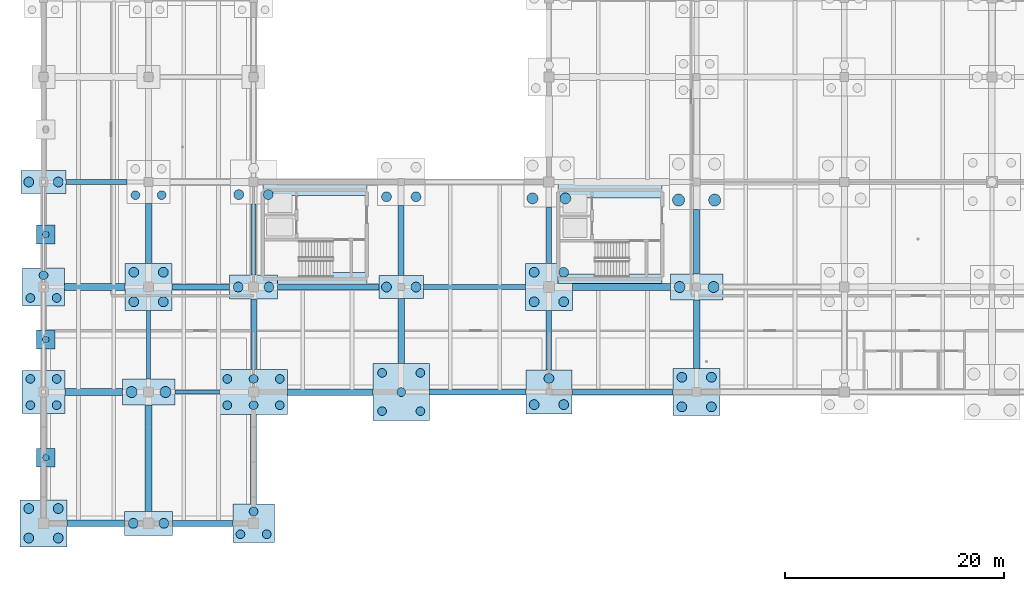
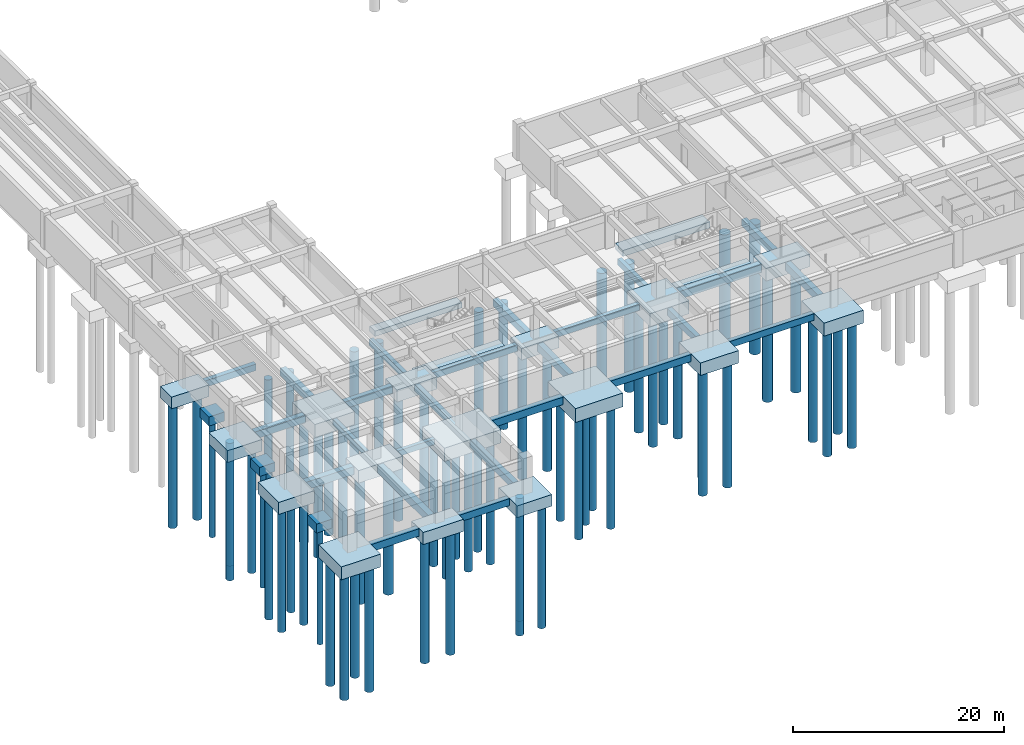
# One storey, part 1 of 41: 65 piles, 48 footings.
"""IFC4 building model written with IfcOpenShell, lengths in metres."""

from ifc_helpers import new_model, si_unit, direction, frame, origin, origin_2d, place, context, subcontext, project, spatial, rectangle, circle, extrude, material, material_profile, profile_set, type_object, element, save


model = new_model("IFC4")

# Units and contexts
model_context = context("Model", 3, precision=1e-05, world=origin(), true_north=direction((0.0, 1.0)))
body_context = subcontext(model_context, "Body", "Model", "MODEL_VIEW")
ifc_project = project(units=[si_unit("LENGTHUNIT", "METRE"), si_unit("AREAUNIT", "SQUARE_METRE"), si_unit("VOLUMEUNIT", "CUBIC_METRE"), si_unit("PLANEANGLEUNIT", "RADIAN"), si_unit("MASSUNIT", "GRAM", prefix="KILO")], contexts=[model_context])

# Site, building, storey
site_placement = place(None, origin())
site = spatial("IfcSite", under=ifc_project, at=site_placement, CompositionType="ELEMENT")
building_placement = place(site_placement, origin())
building = spatial("IfcBuilding", under=site, at=building_placement, Name="Fikremerkos Civic Library", CompositionType="ELEMENT")
storey_placement = place(building_placement, frame((0.0, 0.0, -8.39990234375)))
storey = spatial("IfcBuildingStorey", under=building, at=storey_placement, Name="B02", CompositionType="ELEMENT", Elevation=-8.39990234375)

# Piles
ifc_material_1 = material(Name="Concrete C35/45", Category="concrete")
ifc_material_profile_1 = material_profile(ifc_material_1, circle(Radius=0.5, at=origin_2d()), Name="BORED PILE 1000")
ifc_profile_set_1 = profile_set([ifc_material_profile_1], Name="Concrete C35/45")
pile_type_1 = type_object("IfcPileType", Name="Bored concrete pile PL-1000 D1000", PredefinedType="BORED", material=ifc_profile_set_1)
for number, where, z_axis, x_axis, name in (
    (1, (8.050048828125, 12.0, -1.35009765625), (0.0, 0.0, -1.0), (1.0, 0.0, 0.0), "Bored pile PL-1000 under CAP-2-E #1"),
    (2, (11.14990234375, 12.0, -1.35009765625), (0.0, 0.0, -1.0), (1.0, 0.0, 0.0), "Bored pile PL-1000 under CAP-2-E #2"),
    (3, (44.699951171875, 29.699951171875, -1.4501953125), (0.0, 0.0, -1.0), (1.0, 0.0, 0.0), "Bored pile PL-1000 under CAP-5-G #1"),
    (4, (47.699951171875, 29.699951171875, -1.4501953125), (0.0, 0.0, -1.0), (1.0, 0.0, 0.0), "Bored pile PL-1000 under CAP-5-G #2"),
    (5, (58.14990234375, 21.60009765625, -1.35009765625), (0.0, 0.0, -1.0), (1.0, 0.0, 0.0), "Bored pile PL-1000 under CAP-6-F #1"),
    (6, (61.25, 21.60009765625, -1.35009765625), (0.0, 0.0, -1.0), (1.0, 0.0, 0.0), "Bored pile PL-1000 under CAP-6-F #2"),
):
    element("IfcPile", number, at=place(storey_placement, frame(where, z_axis=z_axis, x_axis=x_axis)), inside=storey, type_object=pile_type_1, Name=name, PredefinedType="BORED", context=body_context, shape_type="SweptSolid", body=[
        extrude(circle(Radius=0.5, at=origin_2d()), origin(), (0.0, 0.0, 1.0), 14.800048828125),
    ])
ifc_material_profile_2 = material_profile(ifc_material_1, circle(Radius=0.550048828125, at=origin_2d()), Name="BORED PILE 1100")
ifc_profile_set_2 = profile_set([ifc_material_profile_2], Name="Concrete C35/45")
pile_type_2 = type_object("IfcPileType", Name="Bored concrete pile PL-1100 D1100", PredefinedType="BORED", material=ifc_profile_set_2)
for number, where, z_axis, x_axis, name in (
    (7, (58.050048828125, 29.550048828125, -1.550048828125), (0.0, 0.0, -1.0), (1.0, 0.0, 0.0), "Bored pile PL-1100 under CAP-6-G #1"),
    (8, (61.35009765625, 29.550048828125, -1.550048828125), (0.0, 0.0, -1.0), (1.0, 0.0, 0.0), "Bored pile PL-1100 under CAP-6-G #2"),
):
    element("IfcPile", number, at=place(storey_placement, frame(where, z_axis=z_axis, x_axis=x_axis)), inside=storey, type_object=pile_type_2, Name=name, PredefinedType="BORED", context=body_context, shape_type="SweptSolid", body=[
        extrude(circle(Radius=0.550048828125, at=origin_2d()), origin(), (0.0, 0.0, 1.0), 15.0),
    ])
ifc_material_profile_3 = material_profile(ifc_material_1, circle(Radius=0.300048828125, at=origin_2d()), Name="BORED PILE 600")
ifc_profile_set_3 = profile_set([ifc_material_profile_3], Name="Concrete C35/45")
pile_type_3 = type_object("IfcPileType", Name="Bored concrete pile PL-600 D600", PredefinedType="BORED", material=ifc_profile_set_3)
for number, where, z_axis, x_axis, name in (
    (9, (0.219970703125, 6.0, -0.9501953125), (0.0, 0.0, -1.0), (1.0, 0.0, 0.0), "Bored pile PL-600 under CAP-PIL-W1"),
    (10, (0.219970703125, 16.800048828125, -0.9501953125), (0.0, 0.0, -1.0), (1.0, 0.0, 0.0), "Bored pile PL-600 under CAP-PIL-W2"),
    (11, (0.219970703125, 26.39990234375, -0.9501953125), (0.0, 0.0, -1.0), (1.0, 0.0, 0.0), "Bored pile PL-600 under CAP-PIL-W3"),
):
    element("IfcPile", number, at=place(storey_placement, frame(where, z_axis=z_axis, x_axis=x_axis)), inside=storey, type_object=pile_type_3, Name=name, PredefinedType="BORED", context=body_context, shape_type="SweptSolid", body=[
        extrude(circle(Radius=0.300048828125, at=origin_2d()), origin(), (0.0, 0.0, 1.0), 13.60009765625),
    ])
ifc_material_profile_4 = material_profile(ifc_material_1, circle(Radius=0.39990234375, at=origin_2d()), Name="BORED PILE 800")
ifc_profile_set_4 = profile_set([ifc_material_profile_4], Name="Concrete C35/45")
pile_type_4 = type_object("IfcPileType", Name="Bored concrete pile PL-800 D800", PredefinedType="BORED", material=ifc_profile_set_4)
for number, where, z_axis, x_axis, name in (
    (12, (-1.199951171875, 10.800048828125, -1.300048828125), (0.0, 0.0, -1.0), (1.0, 0.0, 0.0), "Bored pile PL-800 under CAP-1-E #1"),
    (13, (1.199951171875, 10.800048828125, -1.300048828125), (0.0, 0.0, -1.0), (1.0, 0.0, 0.0), "Bored pile PL-800 under CAP-1-E #2"),
    (14, (-1.199951171875, 13.199951171875, -1.300048828125), (0.0, 0.0, -1.0), (1.0, 0.0, 0.0), "Bored pile PL-800 under CAP-1-E #3"),
    (15, (1.199951171875, 13.199951171875, -1.300048828125), (0.0, 0.0, -1.0), (1.0, 0.0, 0.0), "Bored pile PL-800 under CAP-1-E #4"),
    (16, (-1.199951171875, 20.60009765625, -1.25), (0.0, 0.0, -1.0), (1.0, 0.0, 0.0), "Bored pile PL-800 under CAP-1-F #1"),
    (17, (1.199951171875, 20.60009765625, -1.25), (0.0, 0.0, -1.0), (1.0, 0.0, 0.0), "Bored pile PL-800 under CAP-1-F #2"),
    (18, (0.0, 22.679931640625, -1.25), (0.0, 0.0, -1.0), (1.0, 0.0, 0.0), "Bored pile PL-800 under CAP-1-F #3"),
    (19, (8.39990234375, 30.0, -1.300048828125), (0.0, 0.0, -1.0), (1.0, 0.0, 0.0), "Bored pile PL-800 under CAP-2-G #1"),
    (20, (10.800048828125, 30.0, -1.300048828125), (0.0, 0.0, -1.0), (1.0, 0.0, 0.0), "Bored pile PL-800 under CAP-2-G #2"),
    (21, (18.0, -1.0, -1.25), (0.0, 0.0, -1.0), (1.0, 0.0, 0.0), "Bored pile PL-800 under CAP-3-A #1"),
    (22, (20.39990234375, -1.0, -1.25), (0.0, 0.0, -1.0), (1.0, 0.0, 0.0), "Bored pile PL-800 under CAP-3-A #2"),
    (23, (19.199951171875, 1.080078125, -1.25), (0.0, 0.0, -1.0), (1.0, 0.0, 0.0), "Bored pile PL-800 under CAP-3-A #3"),
    (24, (16.800048828125, 10.800048828125, -1.4501953125), (0.0, 0.0, -1.0), (1.0, 0.0, 0.0), "Bored pile PL-800 under CAP-3-E #1"),
    (25, (19.199951171875, 10.800048828125, -1.4501953125), (0.0, 0.0, -1.0), (1.0, 0.0, 0.0), "Bored pile PL-800 under CAP-3-E #2"),
    (26, (21.60009765625, 10.800048828125, -1.4501953125), (0.0, 0.0, -1.0), (1.0, 0.0, 0.0), "Bored pile PL-800 under CAP-3-E #3"),
    (27, (16.800048828125, 13.199951171875, -1.4501953125), (0.0, 0.0, -1.0), (1.0, 0.0, 0.0), "Bored pile PL-800 under CAP-3-E #4"),
    (28, (19.199951171875, 13.199951171875, -1.4501953125), (0.0, 0.0, -1.0), (1.0, 0.0, 0.0), "Bored pile PL-800 under CAP-3-E #5"),
    (29, (21.60009765625, 13.199951171875, -1.4501953125), (0.0, 0.0, -1.0), (1.0, 0.0, 0.0), "Bored pile PL-800 under CAP-3-E #6"),
    (30, (30.949951171875, 10.25, -1.5), (0.0, 0.0, -1.0), (1.0, 0.0, 0.0), "Bored pile PL-800 under CAP-4-E #1"),
    (31, (34.449951171875, 10.25, -1.5), (0.0, 0.0, -1.0), (1.0, 0.0, 0.0), "Bored pile PL-800 under CAP-4-E #2"),
    (32, (30.949951171875, 13.75, -1.5), (0.0, 0.0, -1.0), (1.0, 0.0, 0.0), "Bored pile PL-800 under CAP-4-E #3"),
    (33, (34.449951171875, 13.75, -1.5), (0.0, 0.0, -1.0), (1.0, 0.0, 0.0), "Bored pile PL-800 under CAP-4-E #4"),
    (34, (32.699951171875, 12.0, -1.5), (0.0, 0.0, -1.0), (1.0, 0.0, 0.0), "Bored pile PL-800 under CAP-4-E #5"),
):
    element("IfcPile", number, at=place(storey_placement, frame(where, z_axis=z_axis, x_axis=x_axis)), inside=storey, type_object=pile_type_4, Name=name, PredefinedType="BORED", context=body_context, shape_type="SweptSolid", body=[
        extrude(circle(Radius=0.39990234375, at=origin_2d()), origin(), (0.0, 0.0, 1.0), 14.199951171875),
    ])
ifc_material_profile_5 = material_profile(ifc_material_1, circle(Radius=0.449951171875, at=origin_2d()), Name="BORED PILE 900")
ifc_profile_set_5 = profile_set([ifc_material_profile_5], Name="Concrete C35/45")
pile_type_5 = type_object("IfcPileType", Name="Bored concrete pile PL-900 D900", PredefinedType="BORED", material=ifc_profile_set_5)
for number, where, z_axis, x_axis, name in (
    (35, (-1.35009765625, -1.35009765625, -1.400146484375), (0.0, 0.0, -1.0), (1.0, 0.0, 0.0), "Bored pile PL-900 under CAP-1-A #1"),
    (36, (1.35009765625, -1.35009765625, -1.400146484375), (0.0, 0.0, -1.0), (1.0, 0.0, 0.0), "Bored pile PL-900 under CAP-1-A #2"),
    (37, (-1.35009765625, 1.35009765625, -1.400146484375), (0.0, 0.0, -1.0), (1.0, 0.0, 0.0), "Bored pile PL-900 under CAP-1-A #3"),
    (38, (1.35009765625, 1.35009765625, -1.400146484375), (0.0, 0.0, -1.0), (1.0, 0.0, 0.0), "Bored pile PL-900 under CAP-1-A #4"),
    (39, (-1.35009765625, 31.199951171875, -1.25), (0.0, 0.0, -1.0), (1.0, 0.0, 0.0), "Bored pile PL-900 under CAP-1-G #1"),
    (40, (1.35009765625, 31.199951171875, -1.25), (0.0, 0.0, -1.0), (1.0, 0.0, 0.0), "Bored pile PL-900 under CAP-1-G #2"),
    (41, (8.199951171875, 0.0, -1.300048828125), (0.0, 0.0, -1.0), (1.0, 0.0, 0.0), "Bored pile PL-900 under CAP-2-A #1"),
    (42, (11.0, 0.0, -1.300048828125), (0.0, 0.0, -1.0), (1.0, 0.0, 0.0), "Bored pile PL-900 under CAP-2-A #2"),
    (43, (8.25, 20.25, -1.400146484375), (0.0, 0.0, -1.0), (1.0, 0.0, 0.0), "Bored pile PL-900 under CAP-2-F #1"),
    (44, (10.949951171875, 20.25, -1.400146484375), (0.0, 0.0, -1.0), (1.0, 0.0, 0.0), "Bored pile PL-900 under CAP-2-F #2"),
    (45, (8.25, 22.949951171875, -1.400146484375), (0.0, 0.0, -1.0), (1.0, 0.0, 0.0), "Bored pile PL-900 under CAP-2-F #3"),
    (46, (10.949951171875, 22.949951171875, -1.400146484375), (0.0, 0.0, -1.0), (1.0, 0.0, 0.0), "Bored pile PL-900 under CAP-2-F #4"),
    (47, (17.800048828125, 21.60009765625, -1.300048828125), (0.0, 0.0, -1.0), (1.0, 0.0, 0.0), "Bored pile PL-900 under CAP-3-F #1"),
    (48, (20.60009765625, 21.60009765625, -1.300048828125), (0.0, 0.0, -1.0), (1.0, 0.0, 0.0), "Bored pile PL-900 under CAP-3-F #2"),
    (49, (17.85009765625, 30.050048828125, -1.35009765625), (0.0, 0.0, -1.0), (1.0, 0.0, 0.0), "Bored pile PL-900 under CAP-3-G #1"),
    (50, (20.550048828125, 30.050048828125, -1.35009765625), (0.0, 0.0, -1.0), (1.0, 0.0, 0.0), "Bored pile PL-900 under CAP-3-G #2"),
    (51, (31.35009765625, 21.60009765625, -1.25), (0.0, 0.0, -1.0), (1.0, 0.0, 0.0), "Bored pile PL-900 under CAP-4-F #1"),
    (52, (34.050048828125, 21.60009765625, -1.25), (0.0, 0.0, -1.0), (1.0, 0.0, 0.0), "Bored pile PL-900 under CAP-4-F #2"),
    (53, (31.35009765625, 29.85009765625, -1.400146484375), (0.0, 0.0, -1.0), (1.0, 0.0, 0.0), "Bored pile PL-900 under CAP-4-G #1"),
    (54, (34.050048828125, 29.85009765625, -1.400146484375), (0.0, 0.0, -1.0), (1.0, 0.0, 0.0), "Bored pile PL-900 under CAP-4-G #2"),
    (55, (44.85009765625, 10.85009765625, -1.35009765625), (0.0, 0.0, -1.0), (1.0, 0.0, 0.0), "Bored pile PL-900 under CAP-5-E #1"),
    (56, (47.550048828125, 10.85009765625, -1.35009765625), (0.0, 0.0, -1.0), (1.0, 0.0, 0.0), "Bored pile PL-900 under CAP-5-E #2"),
    (57, (46.199951171875, 13.25, -1.35009765625), (0.0, 0.0, -1.0), (1.0, 0.0, 0.0), "Bored pile PL-900 under CAP-5-E #3"),
    (58, (44.85009765625, 20.25, -1.400146484375), (0.0, 0.0, -1.0), (1.0, 0.0, 0.0), "Bored pile PL-900 under CAP-5-F #1"),
    (59, (47.550048828125, 20.25, -1.400146484375), (0.0, 0.0, -1.0), (1.0, 0.0, 0.0), "Bored pile PL-900 under CAP-5-F #2"),
    (60, (44.85009765625, 22.949951171875, -1.400146484375), (0.0, 0.0, -1.0), (1.0, 0.0, 0.0), "Bored pile PL-900 under CAP-5-F #3"),
    (61, (47.550048828125, 22.949951171875, -1.400146484375), (0.0, 0.0, -1.0), (1.0, 0.0, 0.0), "Bored pile PL-900 under CAP-5-F #4"),
    (62, (58.35009765625, 10.64990234375, -1.400146484375), (0.0, 0.0, -1.0), (1.0, 0.0, 0.0), "Bored pile PL-900 under CAP-6-E #1"),
    (63, (61.050048828125, 10.64990234375, -1.400146484375), (0.0, 0.0, -1.0), (1.0, 0.0, 0.0), "Bored pile PL-900 under CAP-6-E #2"),
    (64, (58.35009765625, 13.35009765625, -1.400146484375), (0.0, 0.0, -1.0), (1.0, 0.0, 0.0), "Bored pile PL-900 under CAP-6-E #3"),
    (65, (61.050048828125, 13.35009765625, -1.400146484375), (0.0, 0.0, -1.0), (1.0, 0.0, 0.0), "Bored pile PL-900 under CAP-6-E #4"),
):
    element("IfcPile", number, at=place(storey_placement, frame(where, z_axis=z_axis, x_axis=x_axis)), inside=storey, type_object=pile_type_5, Name=name, PredefinedType="BORED", context=body_context, shape_type="SweptSolid", body=[
        extrude(circle(Radius=0.449951171875, at=origin_2d()), origin(), (0.0, 0.0, 1.0), 14.5),
    ])

# Footings
ifc_material_2 = material(Name="Concrete C40/50", Category="concrete")
footing_type_1 = type_object("IfcFootingType", Name="Bored pile cap PC-07 4100x2100x1350", PredefinedType="PILE_CAP", material=ifc_material_2)
for number, where, z_axis, x_axis, name in (
    (66, (0.0, 31.199951171875, -1.35009765625), (0.0, 0.0, 1.0), (1.0, 0.0, 0.0), "Pile cap PC-07 at 1/G"),
    (67, (32.699951171875, 21.60009765625, -1.35009765625), (0.0, 0.0, 1.0), (1.0, 0.0, 0.0), "Pile cap PC-07 at 4/F"),
):
    element("IfcFooting", number, at=place(storey_placement, frame(where, z_axis=z_axis, x_axis=x_axis)), inside=storey, type_object=footing_type_1, Name=name, PredefinedType="PILE_CAP", context=body_context, shape_type="SweptSolid", body=[
        extrude(rectangle(XDim=4.10009765625, YDim=2.10009765625, at=origin_2d()), origin(), (0.0, 0.0, 1.0), 1.35009765625),
    ])
footing_type_2 = type_object("IfcFootingType", Name="Bored pile cap PC-09 3800x3500x1350", PredefinedType="PILE_CAP", material=ifc_material_2)
for number, where, z_axis, x_axis, name in (
    (68, (0.0, 21.60009765625, -1.35009765625), (0.0, 0.0, 1.0), (1.0, 0.0, 0.0), "Pile cap PC-09 at 1/F"),
    (69, (19.199951171875, 0.0, -1.35009765625), (0.0, 0.0, 1.0), (1.0, 0.0, 0.0), "Pile cap PC-09 at 3/A"),
):
    element("IfcFooting", number, at=place(storey_placement, frame(where, z_axis=z_axis, x_axis=x_axis)), inside=storey, type_object=footing_type_2, Name=name, PredefinedType="PILE_CAP", context=body_context, shape_type="SweptSolid", body=[
        extrude(rectangle(XDim=3.800048828125, YDim=3.5, at=origin_2d()), origin(), (0.0, 0.0, 1.0), 1.35009765625),
    ])
footing_type_3 = type_object("IfcFootingType", Name="Bored pile cap PC-11 3900x3900x1400", PredefinedType="PILE_CAP", material=ifc_material_2)
footing_1_placement = place(storey_placement, frame((0.0, 12.0, -1.400146484375), z_axis=(0.0, 0.0, 1.0), x_axis=(1.0, 0.0, 0.0)))
element("IfcFooting", 70, at=footing_1_placement, inside=storey, type_object=footing_type_3, Name="Pile cap PC-11 at 1/E", PredefinedType="PILE_CAP", context=body_context, shape_type="SweptSolid", body=[
    extrude(rectangle(XDim=3.89990234375, YDim=3.89990234375, at=origin_2d()), origin(), (0.0, 0.0, 1.0), 1.39990234375),
])
footing_type_4 = type_object("IfcFootingType", Name="Bored pile cap PC-12 4300x4300x1500", PredefinedType="PILE_CAP", material=ifc_material_2)
for number, where, z_axis, x_axis, name in (
    (71, (0.0, 0.0, -1.5), (0.0, 0.0, 1.0), (1.0, 0.0, 0.0), "Pile cap PC-12 at 1/A"),
    (72, (9.60009765625, 21.60009765625, -1.5), (0.0, 0.0, 1.0), (1.0, 0.0, 0.0), "Pile cap PC-12 at 2/F"),
    (73, (46.199951171875, 21.60009765625, -1.5), (0.0, 0.0, 1.0), (1.0, 0.0, 0.0), "Pile cap PC-12 at 5/F"),
    (74, (59.699951171875, 12.0, -1.5), (0.0, 0.0, 1.0), (1.0, 0.0, 0.0), "Pile cap PC-12 at 6/E"),
):
    element("IfcFooting", number, at=place(storey_placement, frame(where, z_axis=z_axis, x_axis=x_axis)), inside=storey, type_object=footing_type_4, Name=name, PredefinedType="PILE_CAP", context=body_context, shape_type="SweptSolid", body=[
        extrude(rectangle(XDim=4.300048828125, YDim=4.300048828125, at=origin_2d()), origin(), (0.0, 0.0, 1.0), 1.5),
    ])
footing_type_5 = type_object("IfcFootingType", Name="Bored pile cap PC-15 5200x5200x1600", PredefinedType="PILE_CAP", material=ifc_material_2)
footing_2_placement = place(storey_placement, frame((32.699951171875, 12.0, -1.60009765625), z_axis=(0.0, 0.0, 1.0), x_axis=(1.0, 0.0, 0.0)))
element("IfcFooting", 75, at=footing_2_placement, inside=storey, type_object=footing_type_5, Name="Pile cap PC-15 at 4/E", PredefinedType="PILE_CAP", context=body_context, shape_type="SweptSolid", body=[
    extrude(rectangle(XDim=5.199951171875, YDim=5.199951171875, at=origin_2d()), origin(), (0.0, 0.0, 1.0), 1.60009765625),
])
footing_type_6 = type_object("IfcFootingType", Name="Bored pile cap PC-16 6200x4100x1550", PredefinedType="PILE_CAP", material=ifc_material_2)
footing_3_placement = place(storey_placement, frame((19.199951171875, 12.0, -1.55029296875), z_axis=(0.0, 0.0, 1.0), x_axis=(1.0, 0.0, 0.0)))
element("IfcFooting", 76, at=footing_3_placement, inside=storey, type_object=footing_type_6, Name="Pile cap PC-16 at 3/E", PredefinedType="PILE_CAP", context=body_context, shape_type="SweptSolid", body=[
    extrude(rectangle(XDim=6.199951171875, YDim=4.10009765625, at=origin_2d()), origin(), (0.0, 0.0, 1.0), 1.550048828125),
])
footing_type_7 = type_object("IfcFootingType", Name="Bored pile cap PC-18 4400x2200x1400", PredefinedType="PILE_CAP", material=ifc_material_2)
for number, where, z_axis, x_axis, name in (
    (77, (9.60009765625, 0.0, -1.400146484375), (0.0, 0.0, 1.0), (1.0, 0.0, 0.0), "Pile cap PC-18 at 2/A"),
    (78, (19.199951171875, 21.60009765625, -1.400146484375), (0.0, 0.0, 1.0), (1.0, 0.0, 0.0), "Pile cap PC-18 at 3/F"),
):
    element("IfcFooting", number, at=place(storey_placement, frame(where, z_axis=z_axis, x_axis=x_axis)), inside=storey, type_object=footing_type_7, Name=name, PredefinedType="PILE_CAP", context=body_context, shape_type="SweptSolid", body=[
        extrude(rectangle(XDim=4.39990234375, YDim=2.199951171875, at=origin_2d()), origin(), (0.0, 0.0, 1.0), 1.39990234375),
    ])
footing_type_8 = type_object("IfcFootingType", Name="Bored pile cap PC-19 4800x2400x1450", PredefinedType="PILE_CAP", material=ifc_material_2)
for number, where, z_axis, x_axis, name in (
    (79, (9.60009765625, 12.0, -1.4501953125), (0.0, 0.0, 1.0), (1.0, 0.0, 0.0), "Pile cap PC-19 at 2/E"),
    (80, (59.699951171875, 21.60009765625, -1.4501953125), (0.0, 0.0, 1.0), (1.0, 0.0, 0.0), "Pile cap PC-19 at 6/F"),
):
    element("IfcFooting", number, at=place(storey_placement, frame(where, z_axis=z_axis, x_axis=x_axis)), inside=storey, type_object=footing_type_8, Name=name, PredefinedType="PILE_CAP", context=body_context, shape_type="SweptSolid", body=[
        extrude(rectangle(XDim=4.800048828125, YDim=2.39990234375, at=origin_2d()), origin(), (0.0, 0.0, 1.0), 1.449951171875),
    ])
footing_type_9 = type_object("IfcFootingType", Name="Bored pile cap PC-20 4200x4000x1450", PredefinedType="PILE_CAP", material=ifc_material_2)
footing_4_placement = place(storey_placement, frame((46.199951171875, 12.0, -1.4501953125), z_axis=(0.0, 0.0, 1.0), x_axis=(1.0, 0.0, 0.0)))
element("IfcFooting", 81, at=footing_4_placement, inside=storey, type_object=footing_type_9, Name="Pile cap PC-20 at 5/E", PredefinedType="PILE_CAP", context=body_context, shape_type="SweptSolid", body=[
    extrude(rectangle(XDim=4.199951171875, YDim=4.0, at=origin_2d()), origin(), (0.0, 0.0, 1.0), 1.449951171875),
])
footing_type_10 = type_object("IfcFootingType", Name="Bored pile cap PC-21 1700x1700x1050", PredefinedType="PILE_CAP", material=ifc_material_2)
for number, where, z_axis, x_axis, name in (
    (82, (0.219970703125, 6.0, -1.05029296875), (0.0, 0.0, 1.0), (1.0, 0.0, 0.0), "Pilaster pile cap PC-21 at W1"),
    (83, (0.219970703125, 16.800048828125, -1.05029296875), (0.0, 0.0, 1.0), (1.0, 0.0, 0.0), "Pilaster pile cap PC-21 at W2"),
    (84, (0.219970703125, 26.39990234375, -1.05029296875), (0.0, 0.0, 1.0), (1.0, 0.0, 0.0), "Pilaster pile cap PC-21 at W3"),
):
    element("IfcFooting", number, at=place(storey_placement, frame(where, z_axis=z_axis, x_axis=x_axis)), inside=storey, type_object=footing_type_10, Name=name, PredefinedType="PILE_CAP", context=body_context, shape_type="SweptSolid", body=[
        extrude(rectangle(XDim=1.699951171875, YDim=1.699951171875, at=origin_2d()), origin(), (0.0, 0.0, 1.0), 1.050048828125),
    ])
footing_type_11 = type_object("IfcFootingType", Name="Foundation tie beam FTB-01 600x850", PredefinedType="FOOTING_BEAM", material=ifc_material_2)
footing_5_placement = place(storey_placement, frame((4.77490234375, 0.0, -0.900146484375), z_axis=(0.0, 0.0, 1.0), x_axis=(1.0, 0.0, 0.0)))
element("IfcFooting", 85, at=footing_5_placement, inside=storey, type_object=footing_type_11, Name="Foundation tie beam FTB-01 on grid A", PredefinedType="FOOTING_BEAM", context=body_context, shape_type="SweptSolid", body=[
    extrude(rectangle(XDim=5.25, YDim=0.60009765625, at=origin_2d()), origin(), (0.0, 0.0, 1.0), 0.85009765625),
])
footing_6_placement = place(storey_placement, frame((26.199951171875, 12.0, -0.900146484375), z_axis=(0.0, 0.0, 1.0), x_axis=(1.0, 0.0, 0.0)))
element("IfcFooting", 86, at=footing_6_placement, inside=storey, type_object=footing_type_11, Name="Foundation tie beam FTB-01 on grid E", PredefinedType="FOOTING_BEAM", context=body_context, shape_type="SweptSolid", body=[
    extrude(rectangle(XDim=7.800048828125, YDim=0.60009765625, at=origin_2d()), origin(), (0.0, 0.0, 1.0), 0.85009765625),
])
footing_7_placement = place(storey_placement, frame((4.675048828125, 21.60009765625, -0.900146484375), z_axis=(0.0, 0.0, 1.0), x_axis=(1.0, 0.0, 0.0)))
element("IfcFooting", 87, at=footing_7_placement, inside=storey, type_object=footing_type_11, Name="Foundation tie beam FTB-01 on grid F", PredefinedType="FOOTING_BEAM", context=body_context, shape_type="SweptSolid", body=[
    extrude(rectangle(XDim=5.550048828125, YDim=0.60009765625, at=origin_2d()), origin(), (0.0, 0.0, 1.0), 0.85009765625),
])
footing_8_placement = place(storey_placement, frame((9.60009765625, 26.5, -0.900146484375), z_axis=(0.0, 0.0, 1.0), x_axis=(0.0, 1.0, 0.0)))
element("IfcFooting", 88, at=footing_8_placement, inside=storey, type_object=footing_type_11, Name="Foundation tie beam FTB-01 on grid 2", PredefinedType="FOOTING_BEAM", context=body_context, shape_type="SweptSolid", body=[
    extrude(rectangle(XDim=5.5, YDim=0.60009765625, at=origin_2d()), origin(), (0.0, 0.0, 1.0), 0.85009765625),
])
footing_9_placement = place(storey_placement, frame((32.699951171875, 17.574951171875, -0.900146484375), z_axis=(0.0, 0.0, 1.0), x_axis=(0.0, 1.0, 0.0)))
element("IfcFooting", 89, at=footing_9_placement, inside=storey, type_object=footing_type_11, Name="Foundation tie beam FTB-01 on grid 4", PredefinedType="FOOTING_BEAM", context=body_context, shape_type="SweptSolid", body=[
    extrude(rectangle(XDim=5.949951171875, YDim=0.60009765625, at=origin_2d()), origin(), (0.0, 0.0, 1.0), 0.85009765625),
])
footing_10_placement = place(storey_placement, frame((59.699951171875, 17.27490234375, -0.900146484375), z_axis=(0.0, 0.0, 1.0), x_axis=(0.0, 1.0, 0.0)))
element("IfcFooting", 90, at=footing_10_placement, inside=storey, type_object=footing_type_11, Name="Foundation tie beam FTB-01 on grid 6", PredefinedType="FOOTING_BEAM", context=body_context, shape_type="SweptSolid", body=[
    extrude(rectangle(XDim=6.25, YDim=0.60009765625, at=origin_2d()), origin(), (0.0, 0.0, 1.0), 0.85009765625),
])
footing_type_12 = type_object("IfcFootingType", Name="Foundation tie beam FTB-02 550x800", PredefinedType="FOOTING_BEAM", material=ifc_material_2)
footing_11_placement = place(storey_placement, frame((14.550048828125, 0.0, -0.85009765625), z_axis=(0.0, 0.0, 1.0), x_axis=(1.0, 0.0, 0.0)))
element("IfcFooting", 91, at=footing_11_placement, inside=storey, type_object=footing_type_12, Name="Foundation tie beam FTB-02 on grid A", PredefinedType="FOOTING_BEAM", context=body_context, shape_type="SweptSolid", body=[
    extrude(rectangle(XDim=5.5, YDim=0.550048828125, at=origin_2d()), origin(), (0.0, 0.0, 1.0), 0.800048828125),
])
footing_12_placement = place(storey_placement, frame((39.699951171875, 12.0, -0.85009765625), z_axis=(0.0, 0.0, 1.0), x_axis=(1.0, 0.0, 0.0)))
element("IfcFooting", 92, at=footing_12_placement, inside=storey, type_object=footing_type_12, Name="Foundation tie beam FTB-02 on grid E", PredefinedType="FOOTING_BEAM", context=body_context, shape_type="SweptSolid", body=[
    extrude(rectangle(XDim=8.800048828125, YDim=0.550048828125, at=origin_2d()), origin(), (0.0, 0.0, 1.0), 0.800048828125),
])
footing_13_placement = place(storey_placement, frame((14.375, 21.60009765625, -0.85009765625), z_axis=(0.0, 0.0, 1.0), x_axis=(1.0, 0.0, 0.0)))
element("IfcFooting", 93, at=footing_13_placement, inside=storey, type_object=footing_type_12, Name="Foundation tie beam FTB-02 on grid F", PredefinedType="FOOTING_BEAM", context=body_context, shape_type="SweptSolid", body=[
    extrude(rectangle(XDim=5.25, YDim=0.550048828125, at=origin_2d()), origin(), (0.0, 0.0, 1.0), 0.800048828125),
])
footing_14_placement = place(storey_placement, frame((19.199951171875, 5.85009765625, -0.85009765625), z_axis=(0.0, 0.0, 1.0), x_axis=(0.0, 1.0, 0.0)))
element("IfcFooting", 94, at=footing_14_placement, inside=storey, type_object=footing_type_12, Name="Foundation tie beam FTB-02 on grid 3", PredefinedType="FOOTING_BEAM", context=body_context, shape_type="SweptSolid", body=[
    extrude(rectangle(XDim=8.199951171875, YDim=0.550048828125, at=origin_2d()), origin(), (0.0, 0.0, 1.0), 0.800048828125),
])
footing_15_placement = place(storey_placement, frame((32.699951171875, 25.85009765625, -0.85009765625), z_axis=(0.0, 0.0, 1.0), x_axis=(0.0, 1.0, 0.0)))
element("IfcFooting", 95, at=footing_15_placement, inside=storey, type_object=footing_type_12, Name="Foundation tie beam FTB-02 on grid 4", PredefinedType="FOOTING_BEAM", context=body_context, shape_type="SweptSolid", body=[
    extrude(rectangle(XDim=6.39990234375, YDim=0.550048828125, at=origin_2d()), origin(), (0.0, 0.0, 1.0), 0.800048828125),
])
footing_16_placement = place(storey_placement, frame((59.699951171875, 25.75, -0.85009765625), z_axis=(0.0, 0.0, 1.0), x_axis=(0.0, 1.0, 0.0)))
element("IfcFooting", 96, at=footing_16_placement, inside=storey, type_object=footing_type_12, Name="Foundation tie beam FTB-02 on grid 6", PredefinedType="FOOTING_BEAM", context=body_context, shape_type="SweptSolid", body=[
    extrude(rectangle(XDim=5.89990234375, YDim=0.550048828125, at=origin_2d()), origin(), (0.0, 0.0, 1.0), 0.800048828125),
])
footing_type_13 = type_object("IfcFootingType", Name="Foundation tie beam FTB-03 500x750", PredefinedType="FOOTING_BEAM", material=ifc_material_2)
for number, where, z_axis, x_axis, name in (
    (97, (52.925048828125, 12.0, -0.800048828125), (0.0, 0.0, 1.0), (1.0, 0.0, 0.0), "Foundation tie beam FTB-03 on grid E"),
    (98, (26.02490234375, 21.60009765625, -0.800048828125), (0.0, 0.0, 1.0), (1.0, 0.0, 0.0), "Foundation tie beam FTB-03 on grid F"),
):
    element("IfcFooting", number, at=place(storey_placement, frame(where, z_axis=z_axis, x_axis=x_axis)), inside=storey, type_object=footing_type_13, Name=name, PredefinedType="FOOTING_BEAM", context=body_context, shape_type="SweptSolid", body=[
        extrude(rectangle(XDim=9.25, YDim=0.5, at=origin_2d()), origin(), (0.0, 0.0, 1.0), 0.75),
    ])
footing_17_placement = place(storey_placement, frame((4.85009765625, 31.199951171875, -0.800048828125), z_axis=(0.0, 0.0, 1.0), x_axis=(1.0, 0.0, 0.0)))
element("IfcFooting", 99, at=footing_17_placement, inside=storey, type_object=footing_type_13, Name="Foundation tie beam FTB-03 on grid G", PredefinedType="FOOTING_BEAM", context=body_context, shape_type="SweptSolid", body=[
    extrude(rectangle(XDim=5.60009765625, YDim=0.5, at=origin_2d()), origin(), (0.0, 0.0, 1.0), 0.75),
])
footing_18_placement = place(storey_placement, frame((19.199951171875, 17.27490234375, -0.800048828125), z_axis=(0.0, 0.0, 1.0), x_axis=(0.0, 1.0, 0.0)))
element("IfcFooting", 100, at=footing_18_placement, inside=storey, type_object=footing_type_13, Name="Foundation tie beam FTB-03 on grid 3", PredefinedType="FOOTING_BEAM", context=body_context, shape_type="SweptSolid", body=[
    extrude(rectangle(XDim=6.449951171875, YDim=0.5, at=origin_2d()), origin(), (0.0, 0.0, 1.0), 0.75),
])
footing_19_placement = place(storey_placement, frame((46.199951171875, 16.72509765625, -0.800048828125), z_axis=(0.0, 0.0, 1.0), x_axis=(0.0, 1.0, 0.0)))
element("IfcFooting", 101, at=footing_19_placement, inside=storey, type_object=footing_type_13, Name="Foundation tie beam FTB-03 on grid 5", PredefinedType="FOOTING_BEAM", context=body_context, shape_type="SweptSolid", body=[
    extrude(rectangle(XDim=5.449951171875, YDim=0.5, at=origin_2d()), origin(), (0.0, 0.0, 1.0), 0.75),
])
footing_type_14 = type_object("IfcFootingType", Name="Foundation tie beam FTB-04 450x700", PredefinedType="FOOTING_BEAM", material=ifc_material_2)
footing_20_placement = place(storey_placement, frame((39.39990234375, 21.60009765625, -0.75), z_axis=(0.0, 0.0, 1.0), x_axis=(1.0, 0.0, 0.0)))
element("IfcFooting", 102, at=footing_20_placement, inside=storey, type_object=footing_type_14, Name="Foundation tie beam FTB-04 on grid F", PredefinedType="FOOTING_BEAM", context=body_context, shape_type="SweptSolid", body=[
    extrude(rectangle(XDim=9.300048828125, YDim=0.449951171875, at=origin_2d()), origin(), (0.0, 0.0, 1.0), 0.699951171875),
])
footing_21_placement = place(storey_placement, frame((19.199951171875, 25.949951171875, -0.75), z_axis=(0.0, 0.0, 1.0), x_axis=(0.0, 1.0, 0.0)))
element("IfcFooting", 103, at=footing_21_placement, inside=storey, type_object=footing_type_14, Name="Foundation tie beam FTB-04 on grid 3", PredefinedType="FOOTING_BEAM", context=body_context, shape_type="SweptSolid", body=[
    extrude(rectangle(XDim=6.5, YDim=0.449951171875, at=origin_2d()), origin(), (0.0, 0.0, 1.0), 0.699951171875),
])
footing_22_placement = place(storey_placement, frame((46.199951171875, 26.324951171875, -0.75), z_axis=(0.0, 0.0, 1.0), x_axis=(0.0, 1.0, 0.0)))
element("IfcFooting", 104, at=footing_22_placement, inside=storey, type_object=footing_type_14, Name="Foundation tie beam FTB-04 on grid 5", PredefinedType="FOOTING_BEAM", context=body_context, shape_type="SweptSolid", body=[
    extrude(rectangle(XDim=5.14990234375, YDim=0.449951171875, at=origin_2d()), origin(), (0.0, 0.0, 1.0), 0.699951171875),
])
footing_type_15 = type_object("IfcFootingType", Name="Foundation tie beam FTB-05 650x900", PredefinedType="FOOTING_BEAM", material=ifc_material_2)
footing_23_placement = place(storey_placement, frame((4.574951171875, 12.0, -0.949951171875), z_axis=(0.0, 0.0, 1.0), x_axis=(1.0, 0.0, 0.0)))
element("IfcFooting", 105, at=footing_23_placement, inside=storey, type_object=footing_type_15, Name="Foundation tie beam FTB-05 on grid E", PredefinedType="FOOTING_BEAM", context=body_context, shape_type="SweptSolid", body=[
    extrude(rectangle(XDim=5.25, YDim=0.64990234375, at=origin_2d()), origin(), (0.0, 0.0, 1.0), 0.89990234375),
])
footing_24_placement = place(storey_placement, frame((52.824951171875, 21.60009765625, -0.949951171875), z_axis=(0.0, 0.0, 1.0), x_axis=(1.0, 0.0, 0.0)))
element("IfcFooting", 106, at=footing_24_placement, inside=storey, type_object=footing_type_15, Name="Foundation tie beam FTB-05 on grid F", PredefinedType="FOOTING_BEAM", context=body_context, shape_type="SweptSolid", body=[
    extrude(rectangle(XDim=8.949951171875, YDim=0.64990234375, at=origin_2d()), origin(), (0.0, 0.0, 1.0), 0.89990234375),
])
footing_25_placement = place(storey_placement, frame((9.60009765625, 5.949951171875, -0.949951171875), z_axis=(0.0, 0.0, 1.0), x_axis=(0.0, 1.0, 0.0)))
element("IfcFooting", 107, at=footing_25_placement, inside=storey, type_object=footing_type_15, Name="Foundation tie beam FTB-05 on grid 2", PredefinedType="FOOTING_BEAM", context=body_context, shape_type="SweptSolid", body=[
    extrude(rectangle(XDim=9.699951171875, YDim=0.64990234375, at=origin_2d()), origin(), (0.0, 0.0, 1.0), 0.89990234375),
])
footing_type_16 = type_object("IfcFootingType", Name="Foundation tie beam FTB-06 400x650", PredefinedType="FOOTING_BEAM", material=ifc_material_2)
footing_26_placement = place(storey_placement, frame((14.050048828125, 12.0, -0.699951171875), z_axis=(0.0, 0.0, 1.0), x_axis=(1.0, 0.0, 0.0)))
element("IfcFooting", 108, at=footing_26_placement, inside=storey, type_object=footing_type_16, Name="Foundation tie beam FTB-06 on grid E", PredefinedType="FOOTING_BEAM", context=body_context, shape_type="SweptSolid", body=[
    extrude(rectangle(XDim=4.10009765625, YDim=0.39990234375, at=origin_2d()), origin(), (0.0, 0.0, 1.0), 0.64990234375),
])
footing_27_placement = place(storey_placement, frame((9.60009765625, 16.324951171875, -0.699951171875), z_axis=(0.0, 0.0, 1.0), x_axis=(0.0, 1.0, 0.0)))
element("IfcFooting", 109, at=footing_27_placement, inside=storey, type_object=footing_type_16, Name="Foundation tie beam FTB-06 on grid 2", PredefinedType="FOOTING_BEAM", context=body_context, shape_type="SweptSolid", body=[
    extrude(rectangle(XDim=6.25, YDim=0.39990234375, at=origin_2d()), origin(), (0.0, 0.0, 1.0), 0.64990234375),
])
footing_type_17 = type_object("IfcFootingType", Name="Wall strip footing WSF-01 1200x650", PredefinedType="STRIP_FOOTING", material=ifc_material_1)
footing_28_placement = place(storey_placement, frame((24.800048828125, 22.35009765625, -0.650146484375), z_axis=(0.0, 0.0, 1.0), x_axis=(1.0, 0.0, 0.0)))
element("IfcFooting", 110, at=footing_28_placement, inside=storey, type_object=footing_type_17, Name="Core wall strip footing WSF-01 under K1", PredefinedType="STRIP_FOOTING", context=body_context, shape_type="SweptSolid", body=[
    extrude(rectangle(XDim=9.5, YDim=1.199951171875, at=origin_2d()), origin(), (0.0, 0.0, 1.0), 0.64990234375),
])
footing_type_18 = type_object("IfcFootingType", Name="Wall strip footing WSF-02 1000x600", PredefinedType="STRIP_FOOTING", material=ifc_material_1)
footing_29_placement = place(storey_placement, frame((24.800048828125, 30.449951171875, -0.60009765625), z_axis=(0.0, 0.0, 1.0), x_axis=(1.0, 0.0, 0.0)))
element("IfcFooting", 111, at=footing_29_placement, inside=storey, type_object=footing_type_18, Name="Core wall strip footing WSF-02 under K1", PredefinedType="STRIP_FOOTING", context=body_context, shape_type="SweptSolid", body=[
    extrude(rectangle(XDim=9.5, YDim=1.0, at=origin_2d()), origin(), (0.0, 0.0, 1.0), 0.60009765625),
])
footing_type_19 = type_object("IfcFootingType", Name="Wall strip footing WSF-03 900x550", PredefinedType="STRIP_FOOTING", material=ifc_material_1)
footing_30_placement = place(storey_placement, frame((51.800048828125, 22.35009765625, -0.55029296875), z_axis=(0.0, 0.0, 1.0), x_axis=(1.0, 0.0, 0.0)))
element("IfcFooting", 112, at=footing_30_placement, inside=storey, type_object=footing_type_19, Name="Core wall strip footing WSF-03 under K3", PredefinedType="STRIP_FOOTING", context=body_context, shape_type="SweptSolid", body=[
    extrude(rectangle(XDim=9.5, YDim=0.89990234375, at=origin_2d()), origin(), (0.0, 0.0, 1.0), 0.550048828125),
])
footing_type_20 = type_object("IfcFootingType", Name="Wall strip footing WSF-04 1400x700", PredefinedType="STRIP_FOOTING", material=ifc_material_1)
footing_31_placement = place(storey_placement, frame((51.800048828125, 30.449951171875, -0.7001953125), z_axis=(0.0, 0.0, 1.0), x_axis=(1.0, 0.0, 0.0)))
element("IfcFooting", 113, at=footing_31_placement, inside=storey, type_object=footing_type_20, Name="Core wall strip footing WSF-04 under K3", PredefinedType="STRIP_FOOTING", context=body_context, shape_type="SweptSolid", body=[
    extrude(rectangle(XDim=9.5, YDim=1.39990234375, at=origin_2d()), origin(), (0.0, 0.0, 1.0), 0.699951171875),
])

save(model, "model.ifc")
